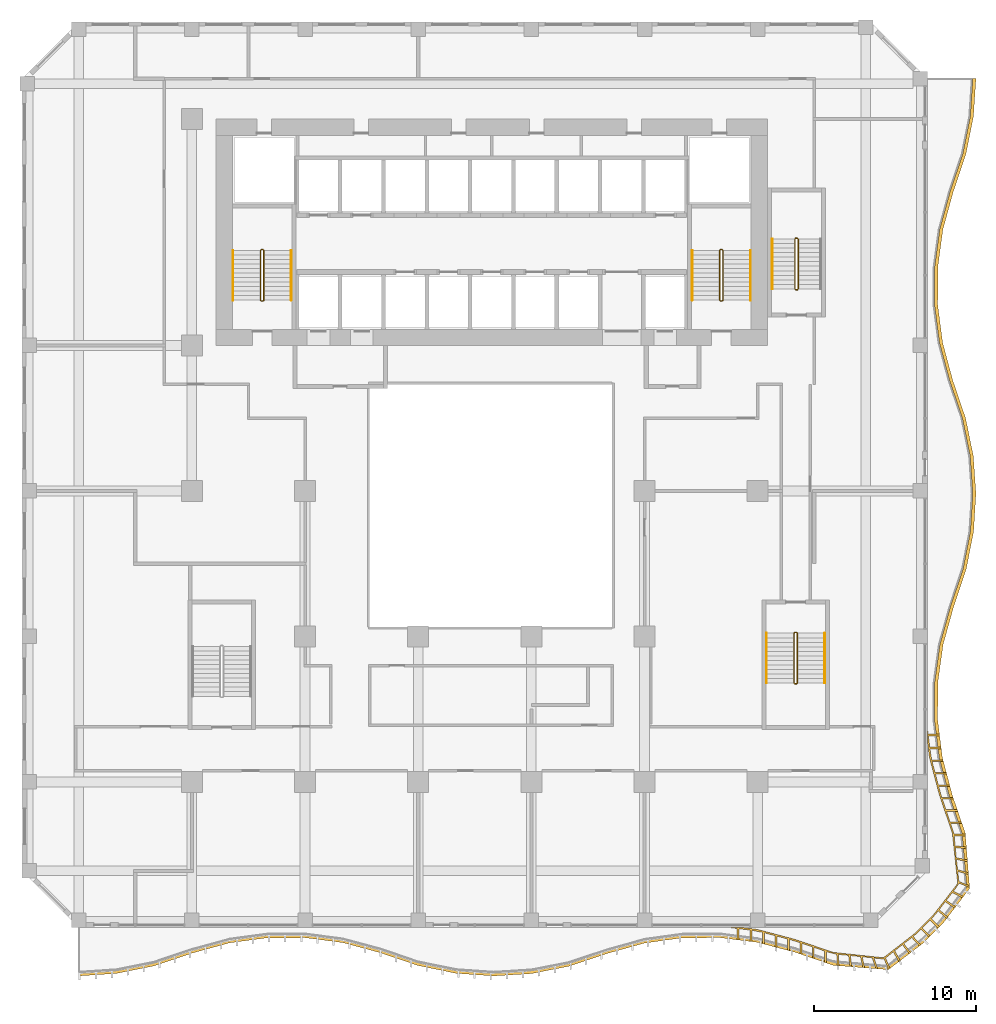
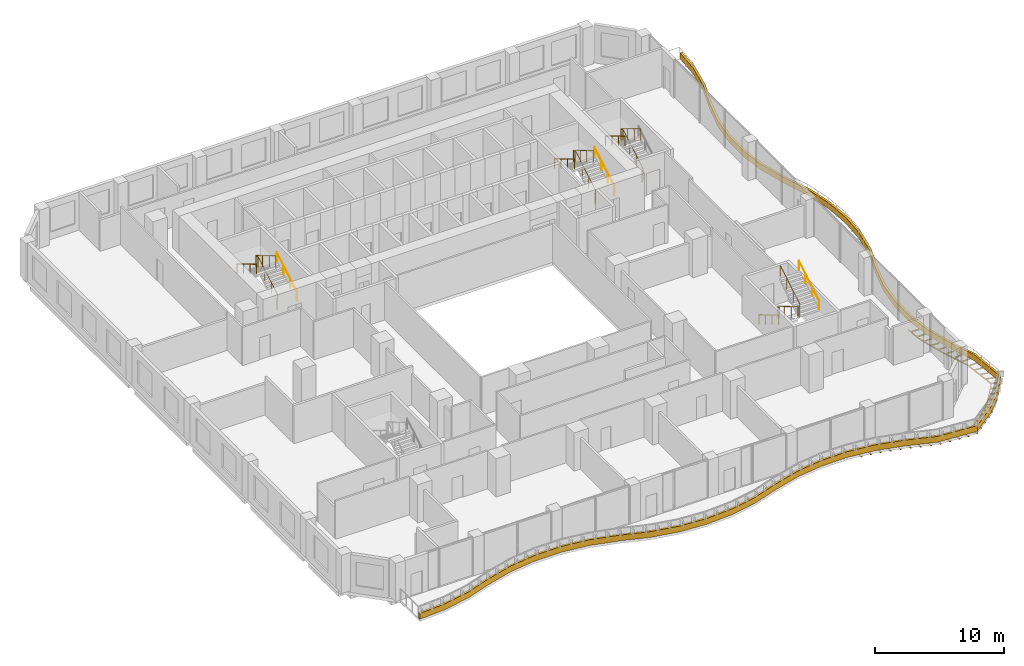
# One storey, part 22 of 23: 11 railings, 2 shading devices.
"""IFC4 building model written with IfcOpenShell, lengths in metres."""

from ifc_helpers import new_model, si_unit, direction, frame, origin, origin_2d, place, context, subcontext, project, spatial, polyline, circle, outline, extrude, source, transform, mapped, material, layer, layer_set, type_object, element, save


model = new_model("IFC4")

# Units and contexts
model_context = context("Model", 3, precision=1e-05, world=origin(), true_north=direction((0.0, 1.0)))
body_context = subcontext(model_context, "Body", "Model", "MODEL_VIEW")
ifc_project = project(units=[si_unit("LENGTHUNIT", "METRE"), si_unit("AREAUNIT", "SQUARE_METRE"), si_unit("VOLUMEUNIT", "CUBIC_METRE"), si_unit("PLANEANGLEUNIT", "RADIAN"), si_unit("MASSUNIT", "GRAM", prefix="KILO")], contexts=[model_context])

# Site, building, storey
site_placement = place(None, origin())
site = spatial("IfcSite", under=ifc_project, at=site_placement, CompositionType="ELEMENT")
building_placement = place(site_placement, origin())
building = spatial("IfcBuilding", under=site, at=building_placement, Name="Kilnfold Tower and Market Hall", CompositionType="ELEMENT")
storey_placement = place(building_placement, frame((0.0, 0.0, 55.0)))
storey = spatial("IfcBuildingStorey", under=building, at=storey_placement, Name="L12", CompositionType="ELEMENT", Elevation=55.0)

# Railings
ifc_material_1 = material(Name="Stainless steel 316", Category="steel")
railing_type_1 = type_object("IfcRailingType", Name="CORE STAIR GUARD 1100", PredefinedType="GUARDRAIL", material=ifc_material_1)
railing_1_placement = place(storey_placement, frame((-13.199951171875, 10.75, 0.0)))
element("IfcRailing", 1, at=railing_1_placement, inside=storey, type_object=railing_type_1, Name="L12 ST1 stair guard 1", PredefinedType="GUARDRAIL", context=body_context, shape_type="SweptSolid", body=[
    extrude(circle(Radius=0.02392578125, at=origin_2d()), frame((0.0, 0.0, 1.076171875), z_axis=(1.0, 0.0, 0.0), x_axis=(0.0, 1.0, 0.0)), (0.0, 0.0, 1.0), 0.099853515625),
    extrude(circle(Radius=0.02392578125, at=origin_2d()), frame((0.099853515625, 0.0, 1.076171875), z_axis=(0.27628659633, 0.27628659633, 0.920506074601), x_axis=(-0.707106781187, 0.707106781187, 0.0)), (0.0, 0.0, 1.0), 0.18115234375),
    extrude(circle(Radius=0.02392578125, at=origin_2d()), frame((0.14990234375, 0.050048828125, 1.24267578125), z_axis=(0.0, 0.859290745958, 0.51148745235), x_axis=(-1.0, 0.0, 0.0)), (0.0, 0.0, 1.0), 3.584228515625),
    extrude(circle(Radius=0.02392578125, at=origin_2d()), frame((0.14990234375, 3.1298828125, 3.076171875), z_axis=(-0.707106781187, 0.707106781187, 0.0), x_axis=(-0.707106781187, -0.707106781187, 0.0)), (0.0, 0.0, 1.0), 0.07080078125),
    extrude(circle(Radius=0.02392578125, at=origin_2d()), frame((0.099853515625, 3.179931640625, 3.076171875), z_axis=(-1.0, 0.0, 0.0), x_axis=(0.0, -1.0, 0.0)), (0.0, 0.0, 1.0), 0.099853515625),
    extrude(circle(Radius=0.02392578125, at=origin_2d()), frame((0.0, 3.179931640625, 3.076171875), z_axis=(-0.27628659633, -0.27628659633, 0.920506074601), x_axis=(0.707106781187, -0.707106781187, 0.0)), (0.0, 0.0, 1.0), 0.18115234375),
    extrude(circle(Radius=0.02392578125, at=origin_2d()), frame((-0.050048828125, 3.1298828125, 3.24267578125), z_axis=(0.0, -0.859290745958, 0.51148745235), x_axis=(1.0, 0.0, 0.0)), (0.0, 0.0, 1.0), 3.584228515625),
    extrude(circle(Radius=0.02099609375, at=origin_2d()), origin(), (0.0, 0.0, 1.0), 1.052001953125),
    extrude(circle(Radius=0.02099609375, at=origin_2d()), frame((0.099853515625, 0.0, 0.0)), (0.0, 0.0, 1.0), 1.052001953125),
    extrude(circle(Radius=0.02099609375, at=origin_2d()), frame((0.14990234375, 0.050048828125, 0.166748046875)), (0.0, 0.0, 1.0), 1.052001953125),
    extrude(circle(Radius=0.02099609375, at=origin_2d()), frame((0.14990234375, 1.07666015625, 0.77783203125)), (0.0, 0.0, 1.0), 1.052001953125),
    extrude(circle(Radius=0.02099609375, at=origin_2d()), frame((0.14990234375, 2.103271484375, 1.388916015625)), (0.0, 0.0, 1.0), 1.052001953125),
    extrude(circle(Radius=0.02099609375, at=origin_2d()), frame((0.14990234375, 3.1298828125, 2.0)), (0.0, 0.0, 1.0), 1.052001953125),
    extrude(circle(Radius=0.02099609375, at=origin_2d()), frame((0.099853515625, 3.179931640625, 2.0)), (0.0, 0.0, 1.0), 1.052001953125),
    extrude(circle(Radius=0.02099609375, at=origin_2d()), frame((0.0, 3.179931640625, 2.0)), (0.0, 0.0, 1.0), 1.052001953125),
    extrude(circle(Radius=0.02099609375, at=origin_2d()), frame((-0.050048828125, 3.1298828125, 2.166748046875)), (0.0, 0.0, 1.0), 1.052001953125),
    extrude(circle(Radius=0.02099609375, at=origin_2d()), frame((-0.050048828125, 2.103271484375, 2.77783203125)), (0.0, 0.0, 1.0), 1.052001953125),
    extrude(circle(Radius=0.02099609375, at=origin_2d()), frame((-0.050048828125, 1.07666015625, 3.388916015625)), (0.0, 0.0, 1.0), 1.052001953125),
    extrude(circle(Radius=0.02099609375, at=origin_2d()), frame((-0.050048828125, 0.050048828125, 4.0)), (0.0, 0.0, 1.0), 1.052001953125),
])
railing_2_placement = place(storey_placement, frame((15.199951171875, 10.75, 0.0)))
element("IfcRailing", 2, at=railing_2_placement, inside=storey, type_object=railing_type_1, Name="L12 ST2 stair guard 1", PredefinedType="GUARDRAIL", context=body_context, shape_type="SweptSolid", body=[
    extrude(circle(Radius=0.02392578125, at=origin_2d()), frame((0.0, 0.0, 1.076171875), z_axis=(1.0, 0.0, 0.0), x_axis=(0.0, 1.0, 0.0)), (0.0, 0.0, 1.0), 0.10009765625),
    extrude(circle(Radius=0.02392578125, at=origin_2d()), frame((0.10009765625, 0.0, 1.076171875), z_axis=(0.27628659633, 0.27628659633, 0.920506074601), x_axis=(-0.707106781187, 0.707106781187, 0.0)), (0.0, 0.0, 1.0), 0.18115234375),
    extrude(circle(Radius=0.02392578125, at=origin_2d()), frame((0.150146484375, 0.050048828125, 1.24267578125), z_axis=(0.0, 0.859290745958, 0.51148745235), x_axis=(-1.0, 0.0, 0.0)), (0.0, 0.0, 1.0), 3.584228515625),
    extrude(circle(Radius=0.02392578125, at=origin_2d()), frame((0.150146484375, 3.1298828125, 3.076171875), z_axis=(-0.707106781187, 0.707106781187, 0.0), x_axis=(-0.707106781187, -0.707106781187, 0.0)), (0.0, 0.0, 1.0), 0.07080078125),
    extrude(circle(Radius=0.02392578125, at=origin_2d()), frame((0.10009765625, 3.179931640625, 3.076171875), z_axis=(-1.0, 0.0, 0.0), x_axis=(0.0, -1.0, 0.0)), (0.0, 0.0, 1.0), 0.10009765625),
    extrude(circle(Radius=0.02392578125, at=origin_2d()), frame((0.0, 3.179931640625, 3.076171875), z_axis=(-0.27628659633, -0.27628659633, 0.920506074601), x_axis=(0.707106781187, -0.707106781187, 0.0)), (0.0, 0.0, 1.0), 0.18115234375),
    extrude(circle(Radius=0.02392578125, at=origin_2d()), frame((-0.050048828125, 3.1298828125, 3.24267578125), z_axis=(0.0, -0.859290745958, 0.51148745235), x_axis=(1.0, 0.0, 0.0)), (0.0, 0.0, 1.0), 3.584228515625),
    extrude(circle(Radius=0.02099609375, at=origin_2d()), origin(), (0.0, 0.0, 1.0), 1.052001953125),
    extrude(circle(Radius=0.02099609375, at=origin_2d()), frame((0.10009765625, 0.0, 0.0)), (0.0, 0.0, 1.0), 1.052001953125),
    extrude(circle(Radius=0.02099609375, at=origin_2d()), frame((0.150146484375, 0.050048828125, 0.166748046875)), (0.0, 0.0, 1.0), 1.052001953125),
    extrude(circle(Radius=0.02099609375, at=origin_2d()), frame((0.150146484375, 1.07666015625, 0.77783203125)), (0.0, 0.0, 1.0), 1.052001953125),
    extrude(circle(Radius=0.02099609375, at=origin_2d()), frame((0.150146484375, 2.103271484375, 1.388916015625)), (0.0, 0.0, 1.0), 1.052001953125),
    extrude(circle(Radius=0.02099609375, at=origin_2d()), frame((0.150146484375, 3.1298828125, 2.0)), (0.0, 0.0, 1.0), 1.052001953125),
    extrude(circle(Radius=0.02099609375, at=origin_2d()), frame((0.10009765625, 3.179931640625, 2.0)), (0.0, 0.0, 1.0), 1.052001953125),
    extrude(circle(Radius=0.02099609375, at=origin_2d()), frame((0.0, 3.179931640625, 2.0)), (0.0, 0.0, 1.0), 1.052001953125),
    extrude(circle(Radius=0.02099609375, at=origin_2d()), frame((-0.050048828125, 3.1298828125, 2.166748046875)), (0.0, 0.0, 1.0), 1.052001953125),
    extrude(circle(Radius=0.02099609375, at=origin_2d()), frame((-0.050048828125, 2.103271484375, 2.77783203125)), (0.0, 0.0, 1.0), 1.052001953125),
    extrude(circle(Radius=0.02099609375, at=origin_2d()), frame((-0.050048828125, 1.07666015625, 3.388916015625)), (0.0, 0.0, 1.0), 1.052001953125),
    extrude(circle(Radius=0.02099609375, at=origin_2d()), frame((-0.050048828125, 0.050048828125, 4.0)), (0.0, 0.0, 1.0), 1.052001953125),
])
railing_3_placement = place(storey_placement, frame((19.89990234375, -9.75, 0.0)))
element("IfcRailing", 3, at=railing_3_placement, inside=storey, type_object=railing_type_1, Name="L12 ST4 stair guard 1", PredefinedType="GUARDRAIL", context=body_context, shape_type="SweptSolid", body=[
    extrude(circle(Radius=0.02392578125, at=origin_2d()), frame((0.0, 0.0, 1.076171875), z_axis=(-1.0, 0.0, 0.0), x_axis=(0.0, -1.0, 0.0)), (0.0, 0.0, 1.0), 0.099853515625),
    extrude(circle(Radius=0.02392578125, at=origin_2d()), frame((-0.099853515625, 0.0, 1.076171875), z_axis=(-0.27628659633, -0.27628659633, 0.920506074601), x_axis=(0.707106781187, -0.707106781187, 0.0)), (0.0, 0.0, 1.0), 0.18115234375),
    extrude(circle(Radius=0.02392578125, at=origin_2d()), frame((-0.14990234375, -0.050048828125, 1.24267578125), z_axis=(0.0, -0.859290745958, 0.51148745235), x_axis=(1.0, 0.0, 0.0)), (0.0, 0.0, 1.0), 3.584228515625),
    extrude(circle(Radius=0.02392578125, at=origin_2d()), frame((-0.14990234375, -3.1298828125, 3.076171875), z_axis=(0.707106781187, -0.707106781187, 0.0), x_axis=(0.707106781187, 0.707106781187, 0.0)), (0.0, 0.0, 1.0), 0.07080078125),
    extrude(circle(Radius=0.02392578125, at=origin_2d()), frame((-0.099853515625, -3.179931640625, 3.076171875), z_axis=(1.0, 0.0, 0.0), x_axis=(0.0, 1.0, 0.0)), (0.0, 0.0, 1.0), 0.099853515625),
    extrude(circle(Radius=0.02392578125, at=origin_2d()), frame((0.0, -3.179931640625, 3.076171875), z_axis=(0.27628659633, 0.27628659633, 0.920506074601), x_axis=(-0.707106781187, 0.707106781187, 0.0)), (0.0, 0.0, 1.0), 0.18115234375),
    extrude(circle(Radius=0.02392578125, at=origin_2d()), frame((0.050048828125, -3.1298828125, 3.24267578125), z_axis=(0.0, 0.859290745958, 0.51148745235), x_axis=(-1.0, 0.0, 0.0)), (0.0, 0.0, 1.0), 3.584228515625),
    extrude(circle(Radius=0.02099609375, at=origin_2d()), origin(), (0.0, 0.0, 1.0), 1.052001953125),
    extrude(circle(Radius=0.02099609375, at=origin_2d()), frame((-0.099853515625, 0.0, 0.0)), (0.0, 0.0, 1.0), 1.052001953125),
    extrude(circle(Radius=0.02099609375, at=origin_2d()), frame((-0.14990234375, -0.050048828125, 0.166748046875)), (0.0, 0.0, 1.0), 1.052001953125),
    extrude(circle(Radius=0.02099609375, at=origin_2d()), frame((-0.14990234375, -1.07666015625, 0.77783203125)), (0.0, 0.0, 1.0), 1.052001953125),
    extrude(circle(Radius=0.02099609375, at=origin_2d()), frame((-0.14990234375, -2.103271484375, 1.388916015625)), (0.0, 0.0, 1.0), 1.052001953125),
    extrude(circle(Radius=0.02099609375, at=origin_2d()), frame((-0.14990234375, -3.1298828125, 2.0)), (0.0, 0.0, 1.0), 1.052001953125),
    extrude(circle(Radius=0.02099609375, at=origin_2d()), frame((-0.099853515625, -3.179931640625, 2.0)), (0.0, 0.0, 1.0), 1.052001953125),
    extrude(circle(Radius=0.02099609375, at=origin_2d()), frame((0.0, -3.179931640625, 2.0)), (0.0, 0.0, 1.0), 1.052001953125),
    extrude(circle(Radius=0.02099609375, at=origin_2d()), frame((0.050048828125, -3.1298828125, 2.166748046875)), (0.0, 0.0, 1.0), 1.052001953125),
    extrude(circle(Radius=0.02099609375, at=origin_2d()), frame((0.050048828125, -2.103271484375, 2.77783203125)), (0.0, 0.0, 1.0), 1.052001953125),
    extrude(circle(Radius=0.02099609375, at=origin_2d()), frame((0.050048828125, -1.07666015625, 3.388916015625)), (0.0, 0.0, 1.0), 1.052001953125),
    extrude(circle(Radius=0.02099609375, at=origin_2d()), frame((0.050048828125, -0.050048828125, 4.0)), (0.0, 0.0, 1.0), 1.052001953125),
])
railing_4_placement = place(storey_placement, frame((19.85009765625, 11.449951171875, 0.0)))
element("IfcRailing", 4, at=railing_4_placement, inside=storey, type_object=railing_type_1, Name="L12 ST5 stair guard 1", PredefinedType="GUARDRAIL", context=body_context, shape_type="SweptSolid", body=[
    extrude(circle(Radius=0.02392578125, at=origin_2d()), frame((0.0, 0.0, 1.076171875), z_axis=(1.0, 0.0, 0.0), x_axis=(0.0, 1.0, 0.0)), (0.0, 0.0, 1.0), 0.099853515625),
    extrude(circle(Radius=0.02392578125, at=origin_2d()), frame((0.099853515625, 0.0, 1.076171875), z_axis=(0.27628659633, 0.27628659633, 0.920506074601), x_axis=(-0.707106781187, 0.707106781187, 0.0)), (0.0, 0.0, 1.0), 0.18115234375),
    extrude(circle(Radius=0.02392578125, at=origin_2d()), frame((0.14990234375, 0.050048828125, 1.24267578125), z_axis=(0.0, 0.859308565015, 0.511457515432), x_axis=(-1.0, 0.0, 0.0)), (0.0, 0.0, 1.0), 3.58447265625),
    extrude(circle(Radius=0.02392578125, at=origin_2d()), frame((0.14990234375, 3.130126953125, 3.076171875), z_axis=(-0.708833529934, 0.705375805398, 0.0), x_axis=(-0.705375805398, -0.708833529934, 0.0)), (0.0, 0.0, 1.0), 0.070556640625),
    extrude(circle(Radius=0.02392578125, at=origin_2d()), frame((0.099853515625, 3.179931640625, 3.076171875), z_axis=(-1.0, 0.0, 0.0), x_axis=(0.0, -1.0, 0.0)), (0.0, 0.0, 1.0), 0.099853515625),
    extrude(circle(Radius=0.02392578125, at=origin_2d()), frame((0.0, 3.179931640625, 3.076171875), z_axis=(-0.276389281352, -0.275041040955, 0.920848191041), x_axis=(0.705375805398, -0.708833529934, 0.0)), (0.0, 0.0, 1.0), 0.18115234375),
    extrude(circle(Radius=0.02392578125, at=origin_2d()), frame((-0.050048828125, 3.130126953125, 3.24267578125), z_axis=(0.0, -0.859308565015, 0.511457515432), x_axis=(1.0, 0.0, 0.0)), (0.0, 0.0, 1.0), 3.58447265625),
    extrude(circle(Radius=0.02099609375, at=origin_2d()), origin(), (0.0, 0.0, 1.0), 1.052001953125),
    extrude(circle(Radius=0.02099609375, at=origin_2d()), frame((0.099853515625, 0.0, 0.0)), (0.0, 0.0, 1.0), 1.052001953125),
    extrude(circle(Radius=0.02099609375, at=origin_2d()), frame((0.14990234375, 0.050048828125, 0.166748046875)), (0.0, 0.0, 1.0), 1.052001953125),
    extrude(circle(Radius=0.02099609375, at=origin_2d()), frame((0.14990234375, 1.07666015625, 0.77783203125)), (0.0, 0.0, 1.0), 1.052001953125),
    extrude(circle(Radius=0.02099609375, at=origin_2d()), frame((0.14990234375, 2.103515625, 1.388916015625)), (0.0, 0.0, 1.0), 1.052001953125),
    extrude(circle(Radius=0.02099609375, at=origin_2d()), frame((0.14990234375, 3.130126953125, 2.0)), (0.0, 0.0, 1.0), 1.052001953125),
    extrude(circle(Radius=0.02099609375, at=origin_2d()), frame((0.099853515625, 3.179931640625, 2.0)), (0.0, 0.0, 1.0), 1.052001953125),
    extrude(circle(Radius=0.02099609375, at=origin_2d()), frame((0.0, 3.179931640625, 2.0)), (0.0, 0.0, 1.0), 1.052001953125),
    extrude(circle(Radius=0.02099609375, at=origin_2d()), frame((-0.050048828125, 3.130126953125, 2.166748046875)), (0.0, 0.0, 1.0), 1.052001953125),
    extrude(circle(Radius=0.02099609375, at=origin_2d()), frame((-0.050048828125, 2.103515625, 2.77783203125)), (0.0, 0.0, 1.0), 1.052001953125),
    extrude(circle(Radius=0.02099609375, at=origin_2d()), frame((-0.050048828125, 1.07666015625, 3.388916015625)), (0.0, 0.0, 1.0), 1.052001953125),
    extrude(circle(Radius=0.02099609375, at=origin_2d()), frame((-0.050048828125, 0.050048828125, 4.0)), (0.0, 0.0, 1.0), 1.052001953125),
])
ifc_material_2 = material(Name="Stainless steel 316", Category="steel")
railing_type_2 = type_object("IfcRailingType", Name="CORE STAIR HANDRAIL 900", PredefinedType="HANDRAIL", material=ifc_material_2)
railing_5_placement = place(storey_placement, frame((-11.35009765625, 10.800048828125, 0.166748046875)))
element("IfcRailing", 5, at=railing_5_placement, inside=storey, type_object=railing_type_2, Name="L12 ST1 stair handrail 1", PredefinedType="HANDRAIL", context=body_context, shape_type="SweptSolid", body=[
    extrude(circle(Radius=0.02392578125, at=origin_2d()), frame((0.0, 0.0, 0.8759765625), z_axis=(0.0, 0.859290745958, 0.51148745235), x_axis=(-1.0, 0.0, 0.0)), (0.0, 0.0, 1.0), 3.584228515625),
    extrude(circle(Radius=0.02099609375, at=origin_2d()), origin(), (0.0, 0.0, 1.0), 0.851806640625),
    extrude(circle(Radius=0.02099609375, at=origin_2d()), frame((0.0, 1.026611328125, 0.611083984375)), (0.0, 0.0, 1.0), 0.851806640625),
    extrude(circle(Radius=0.02099609375, at=origin_2d()), frame((0.0, 2.05322265625, 1.22216796875)), (0.0, 0.0, 1.0), 0.851806640625),
    extrude(circle(Radius=0.02099609375, at=origin_2d()), frame((0.0, 3.079833984375, 1.833251953125)), (0.0, 0.0, 1.0), 0.851806640625),
])
railing_6_placement = place(storey_placement, frame((-14.949951171875, 13.8798828125, 2.166748046875)))
element("IfcRailing", 6, at=railing_6_placement, inside=storey, type_object=railing_type_2, Name="L12 ST1 stair handrail 2", PredefinedType="HANDRAIL", context=body_context, shape_type="SweptSolid", body=[
    extrude(circle(Radius=0.02392578125, at=origin_2d()), frame((0.0, 0.0, 0.8759765625), z_axis=(0.0, -0.859290745958, 0.51148745235), x_axis=(1.0, 0.0, 0.0)), (0.0, 0.0, 1.0), 3.584228515625),
    extrude(circle(Radius=0.02099609375, at=origin_2d()), origin(), (0.0, 0.0, 1.0), 0.851806640625),
    extrude(circle(Radius=0.02099609375, at=origin_2d()), frame((0.0, -1.026611328125, 0.611083984375)), (0.0, 0.0, 1.0), 0.851806640625),
    extrude(circle(Radius=0.02099609375, at=origin_2d()), frame((0.0, -2.05322265625, 1.22216796875)), (0.0, 0.0, 1.0), 0.851806640625),
    extrude(circle(Radius=0.02099609375, at=origin_2d()), frame((0.0, -3.079833984375, 1.833251953125)), (0.0, 0.0, 1.0), 0.851806640625),
])
railing_7_placement = place(storey_placement, frame((17.050048828125, 10.800048828125, 0.166748046875)))
element("IfcRailing", 7, at=railing_7_placement, inside=storey, type_object=railing_type_2, Name="L12 ST2 stair handrail 1", PredefinedType="HANDRAIL", context=body_context, shape_type="SweptSolid", body=[
    extrude(circle(Radius=0.02392578125, at=origin_2d()), frame((0.0, 0.0, 0.8759765625), z_axis=(0.0, 0.859290745958, 0.51148745235), x_axis=(-1.0, 0.0, 0.0)), (0.0, 0.0, 1.0), 3.584228515625),
    extrude(circle(Radius=0.02099609375, at=origin_2d()), origin(), (0.0, 0.0, 1.0), 0.851806640625),
    extrude(circle(Radius=0.02099609375, at=origin_2d()), frame((0.0, 1.026611328125, 0.611083984375)), (0.0, 0.0, 1.0), 0.851806640625),
    extrude(circle(Radius=0.02099609375, at=origin_2d()), frame((0.0, 2.05322265625, 1.22216796875)), (0.0, 0.0, 1.0), 0.851806640625),
    extrude(circle(Radius=0.02099609375, at=origin_2d()), frame((0.0, 3.079833984375, 1.833251953125)), (0.0, 0.0, 1.0), 0.851806640625),
])
for number, where, name in (
    (8, (13.449951171875, 13.8798828125, 2.166748046875), "L12 ST2 stair handrail 2"),
    (9, (18.050048828125, -9.800048828125, 0.166748046875), "L12 ST4 stair handrail 1"),
):
    element("IfcRailing", number, at=place(storey_placement, frame(where)), inside=storey, type_object=railing_type_2, Name=name, PredefinedType="HANDRAIL", context=body_context, shape_type="SweptSolid", body=[
        extrude(circle(Radius=0.02392578125, at=origin_2d()), frame((0.0, 0.0, 0.8759765625), z_axis=(0.0, -0.859290745958, 0.51148745235), x_axis=(1.0, 0.0, 0.0)), (0.0, 0.0, 1.0), 3.584228515625),
        extrude(circle(Radius=0.02099609375, at=origin_2d()), origin(), (0.0, 0.0, 1.0), 0.851806640625),
        extrude(circle(Radius=0.02099609375, at=origin_2d()), frame((0.0, -1.026611328125, 0.611083984375)), (0.0, 0.0, 1.0), 0.851806640625),
        extrude(circle(Radius=0.02099609375, at=origin_2d()), frame((0.0, -2.05322265625, 1.22216796875)), (0.0, 0.0, 1.0), 0.851806640625),
        extrude(circle(Radius=0.02099609375, at=origin_2d()), frame((0.0, -3.079833984375, 1.833251953125)), (0.0, 0.0, 1.0), 0.851806640625),
    ])
railing_8_placement = place(storey_placement, frame((21.64990234375, -12.8798828125, 2.166748046875)))
element("IfcRailing", 10, at=railing_8_placement, inside=storey, type_object=railing_type_2, Name="L12 ST4 stair handrail 2", PredefinedType="HANDRAIL", context=body_context, shape_type="SweptSolid", body=[
    extrude(circle(Radius=0.02392578125, at=origin_2d()), frame((0.0, 0.0, 0.8759765625), z_axis=(0.0, 0.859290745958, 0.51148745235), x_axis=(-1.0, 0.0, 0.0)), (0.0, 0.0, 1.0), 3.584228515625),
    extrude(circle(Radius=0.02099609375, at=origin_2d()), origin(), (0.0, 0.0, 1.0), 0.851806640625),
    extrude(circle(Radius=0.02099609375, at=origin_2d()), frame((0.0, 1.026611328125, 0.611083984375)), (0.0, 0.0, 1.0), 0.851806640625),
    extrude(circle(Radius=0.02099609375, at=origin_2d()), frame((0.0, 2.05322265625, 1.22216796875)), (0.0, 0.0, 1.0), 0.851806640625),
    extrude(circle(Radius=0.02099609375, at=origin_2d()), frame((0.0, 3.079833984375, 1.833251953125)), (0.0, 0.0, 1.0), 0.851806640625),
])
railing_9_placement = place(storey_placement, frame((18.39990234375, 14.580078125, 2.166748046875)))
element("IfcRailing", 11, at=railing_9_placement, inside=storey, type_object=railing_type_2, Name="L12 ST5 stair handrail 2", PredefinedType="HANDRAIL", context=body_context, shape_type="SweptSolid", body=[
    extrude(circle(Radius=0.02392578125, at=origin_2d()), frame((0.0, 0.0, 0.8759765625), z_axis=(0.0, -0.859308565015, 0.511457515432), x_axis=(1.0, 0.0, 0.0)), (0.0, 0.0, 1.0), 3.58447265625),
    extrude(circle(Radius=0.02099609375, at=origin_2d()), origin(), (0.0, 0.0, 1.0), 0.851806640625),
    extrude(circle(Radius=0.02099609375, at=origin_2d()), frame((0.0, -1.026611328125, 0.611083984375)), (0.0, 0.0, 1.0), 0.851806640625),
    extrude(circle(Radius=0.02099609375, at=origin_2d()), frame((0.0, -2.053466796875, 1.22216796875)), (0.0, 0.0, 1.0), 0.851806640625),
    extrude(circle(Radius=0.02099609375, at=origin_2d()), frame((0.0, -3.080078125, 1.833251953125)), (0.0, 0.0, 1.0), 0.851806640625),
])

# Shading devices
ifc_material_3 = material(Name="Precast concrete C50/60", Category="concrete")
ifc_layer_1 = layer(ifc_material_3, 0.550048828125)
ifc_layer_set_1 = layer_set([ifc_layer_1], Name="Precast concrete C50/60")
shading_device_type_1 = type_object("IfcShadingDeviceType", Name="BALCONY UPSTAND 550", PredefinedType="USERDEFINED", material=ifc_layer_set_1)
shared_shape_1 = source(origin(), body_context, "Body", "SweptSolid", [
    extrude(outline(polyline([(-24.5, -31.0), (-22.166748046875, -30.8466796875), (-19.833251953125, -30.379150390625), (-17.5, -29.59228515625), (-15.166748046875, -28.95361328125), (-12.833251953125, -28.640380859375), (-10.5, -28.635986328125), (-8.166748046875, -28.939453125), (-5.833251953125, -29.56787109375), (-3.5, -30.35986328125), (-1.166748046875, -30.83740234375), (1.166748046875, -31.0), (3.5, -30.85595703125), (5.833251953125, -30.398193359375), (8.166748046875, -29.6171875), (10.5, -28.968017578125), (12.833251953125, -28.6455078125), (15.166748046875, -28.631591796875), (17.5, -28.925537109375), (19.833251953125, -29.543701171875), (22.166748046875, -30.340087890625), (25.58203125, -30.6123046875), (27.7744140625, -28.941162109375), (28.941162109375, -27.7744140625), (30.6123046875, -25.58203125), (30.340087890625, -22.166748046875), (29.543701171875, -19.833251953125), (28.925537109375, -17.5), (28.631591796875, -15.166748046875), (28.6455078125, -12.833251953125), (28.968017578125, -10.5), (29.6171875, -8.166748046875), (30.398193359375, -5.833251953125), (30.85595703125, -3.5), (31.0, -1.166748046875), (30.83740234375, 1.166748046875), (30.35986328125, 3.5), (29.56787109375, 5.833251953125), (28.939453125, 8.166748046875), (28.635986328125, 10.5), (28.640380859375, 12.833251953125), (28.95361328125, 15.166748046875), (29.59228515625, 17.5), (30.379150390625, 19.833251953125), (30.8466796875, 22.166748046875), (31.0, 24.5), (30.800048828125, 24.5), (30.646728515625, 22.166748046875), (30.17919921875, 19.833251953125), (29.392333984375, 17.5), (28.753662109375, 15.166748046875), (28.4404296875, 12.833251953125), (28.435791015625, 10.5), (28.739501953125, 8.166748046875), (29.367919921875, 5.833251953125), (30.159912109375, 3.5), (30.637451171875, 1.166748046875), (30.7998046875, -1.166748046875), (30.656005859375, -3.5), (30.1982421875, -5.833251953125), (29.4169921875, -8.166748046875), (28.76806640625, -10.5), (28.4453125, -12.833251953125), (28.431396484375, -15.166748046875), (28.7255859375, -17.5), (29.34375, -19.833251953125), (30.14013671875, -22.166748046875), (30.427490234375, -25.505615234375), (28.7998046875, -27.633056640625), (27.633056640625, -28.7998046875), (25.505615234375, -30.427490234375), (22.166748046875, -30.14013671875), (19.833251953125, -29.34375), (17.5, -28.7255859375), (15.166748046875, -28.431396484375), (12.833251953125, -28.4453125), (10.5, -28.76806640625), (8.166748046875, -29.4169921875), (5.833251953125, -30.1982421875), (3.5, -30.656005859375), (1.166748046875, -30.7998046875), (-1.166748046875, -30.637451171875), (-3.5, -30.159912109375), (-5.833251953125, -29.367919921875), (-8.166748046875, -28.739501953125), (-10.5, -28.435791015625), (-12.833251953125, -28.4404296875), (-15.166748046875, -28.753662109375), (-17.5, -29.392333984375), (-19.833251953125, -30.17919921875), (-22.166748046875, -30.646728515625), (-24.5, -30.800048828125), (-24.5, -31.0)])), origin(), (0.0, 0.0, 1.0), 0.550048828125),
])
shading_device_1_placement = place(storey_placement, origin())
element("IfcShadingDevice", 12, at=shading_device_1_placement, inside=storey, type_object=shading_device_type_1, Name="Balcony fascia L12", ObjectType="FASCIA", PredefinedType="USERDEFINED", context=body_context, shape_type="MappedRepresentation", body=[
    mapped(shared_shape_1, transform((0.0, 0.0, 0.0))),
])
ifc_material_4 = material(Name="Bronze anodised aluminium", Category="aluminium")
ifc_layer_2 = layer(ifc_material_4, 0.080078125)
ifc_layer_set_2 = layer_set([ifc_layer_2], Name="Bronze anodised aluminium")
shading_device_type_2 = type_object("IfcShadingDeviceType", Name="BRONZE SLAT SOFFIT 80", PredefinedType="USERDEFINED", material=ifc_layer_set_2)
shared_shape_2 = source(origin(), body_context, "Body", "SweptSolid", [
    extrude(outline(polyline([(17.5, -28.12548828125), (19.833251953125, -28.74365234375), (22.166748046875, -29.540283203125), (25.27587890625, -29.873291015625), (27.208740234375, -28.37548828125), (28.37548828125, -27.208740234375), (29.873291015625, -25.27587890625), (29.540283203125, -22.166748046875), (28.74365234375, -19.833251953125), (28.12548828125, -17.5), (28.0, -16.50341796875), (28.0, -15.710205078125), (28.04248046875, -16.04638671875), (28.742431640625, -16.04638671875), (28.75732421875, -16.16552734375), (28.057373046875, -16.16552734375), (28.142333984375, -16.840087890625), (28.84228515625, -16.840087890625), (28.857421875, -16.959228515625), (28.157470703125, -16.959228515625), (28.26025390625, -17.63037109375), (28.960205078125, -17.63037109375), (28.990966796875, -17.746337890625), (28.291015625, -17.746337890625), (28.465087890625, -18.40380859375), (29.1650390625, -18.40380859375), (29.19580078125, -18.519775390625), (28.49560546875, -18.519775390625), (28.669921875, -19.177001953125), (29.369873046875, -19.177001953125), (29.400634765625, -19.293212890625), (28.70068359375, -19.293212890625), (28.8828125, -19.947998046875), (29.582763671875, -19.947998046875), (29.62158203125, -20.0615234375), (28.921630859375, -20.0615234375), (29.141357421875, -20.705078125), (29.84130859375, -20.705078125), (29.856689453125, -20.750244140625), (29.8798828125, -20.818603515625), (29.179931640625, -20.818603515625), (29.399658203125, -21.462158203125), (30.099609375, -21.462158203125), (30.138427734375, -21.57568359375), (29.4384765625, -21.57568359375), (29.64453125, -22.2177734375), (30.344482421875, -22.22216796875), (30.35400390625, -22.341796875), (29.654296875, -22.327880859375), (29.71142578125, -22.95166015625), (30.408203125, -23.01953125), (30.417724609375, -23.13916015625), (29.721923828125, -23.061767578125), (29.7841796875, -23.68505859375), (30.4716796875, -23.81689453125), (30.481201171875, -23.9365234375), (29.795654296875, -23.795166015625), (29.863037109375, -24.41943359375), (30.535400390625, -24.614501953125), (30.544921875, -24.734130859375), (29.875244140625, -24.52978515625), (29.947021484375, -25.156494140625), (30.598876953125, -25.412109375), (30.6083984375, -25.531494140625), (29.960205078125, -25.267333984375), (29.6103515625, -25.758544921875), (30.23095703125, -26.08251953125), (30.158203125, -26.177978515625), (29.543212890625, -25.84326171875), (29.166748046875, -26.32568359375), (29.745849609375, -26.71875), (29.673095703125, -26.814208984375), (29.100830078125, -26.4111328125), (28.730712890625, -26.898193359375), (29.260986328125, -27.35498046875), (29.18798828125, -27.450439453125), (28.665771484375, -26.984619140625), (28.25341796875, -27.47216796875), (28.748291015625, -27.96728515625), (28.66357421875, -28.052001953125), (28.168701171875, -27.55712890625), (27.687744140625, -28.037841796875), (28.1826171875, -28.532958984375), (28.097900390625, -28.617919921875), (27.602783203125, -28.122802734375), (27.117919921875, -28.56591796875), (27.597412109375, -29.076171875), (27.501953125, -29.14892578125), (27.03125, -28.630615234375), (26.54296875, -28.999755859375), (26.961181640625, -29.56103515625), (26.86572265625, -29.6337890625), (26.457275390625, -29.0654296875), (25.97412109375, -29.4404296875), (26.324951171875, -30.046142578125), (26.2294921875, -30.118896484375), (25.88916015625, -29.507080078125), (25.40869140625, -29.889404296875), (25.688720703125, -30.531005859375), (25.59326171875, -30.60400390625), (25.32421875, -29.957763671875), (24.69970703125, -29.894287109375), (24.918212890625, -30.5595703125), (24.798583984375, -30.550048828125), (24.58935546875, -29.882080078125), (23.964599609375, -29.813720703125), (24.120849609375, -30.495849609375), (24.001220703125, -30.486328125), (23.8544921875, -29.802001953125), (23.23095703125, -29.738525390625), (23.3232421875, -30.432373046875), (23.20361328125, -30.4228515625), (23.12109375, -29.727783203125), (22.49755859375, -29.66943359375), (22.52587890625, -30.368896484375), (22.40625, -30.359375), (22.38720703125, -29.659423828125), (21.75048828125, -29.498291015625), (21.75048828125, -30.1982421875), (21.636962890625, -30.159423828125), (21.636962890625, -29.45947265625), (20.993408203125, -29.23974609375), (20.993408203125, -29.939697265625), (20.8798828125, -29.90087890625), (20.8798828125, -29.200927734375), (20.236328125, -28.981201171875), (20.236328125, -29.681396484375), (20.122802734375, -29.642578125), (20.122802734375, -28.9423828125), (19.4716796875, -28.747802734375), (19.4716796875, -29.447998046875), (19.355712890625, -29.417236328125), (19.355712890625, -28.71728515625), (18.6982421875, -28.54296875), (18.6982421875, -29.242919921875), (18.582275390625, -29.21240234375), (18.582275390625, -28.51220703125), (17.925048828125, -28.338134765625), (17.925048828125, -29.0380859375), (17.80908203125, -29.007568359375), (17.80908203125, -28.3076171875), (17.142578125, -28.180419921875), (17.142578125, -28.880615234375), (17.0234375, -28.865478515625), (17.0234375, -28.16552734375), (16.348876953125, -28.08056640625), (16.348876953125, -28.780517578125), (16.229736328125, -28.765380859375), (16.229736328125, -28.0654296875), (15.710205078125, -28.0), (16.50341796875, -28.0), (17.5, -28.12548828125)])), origin(), (0.0, 0.0, 1.0), 0.080078125),
])
shading_device_2_placement = place(storey_placement, frame((0.0, 0.0, -0.300048828125)))
element("IfcShadingDevice", 13, at=shading_device_2_placement, inside=storey, type_object=shading_device_type_2, Name="Balcony soffit slats L12", ObjectType="SLAT", PredefinedType="USERDEFINED", context=body_context, shape_type="MappedRepresentation", body=[
    mapped(shared_shape_2, transform((0.0, 0.0, 0.0))),
])

save(model, "model.ifc")
